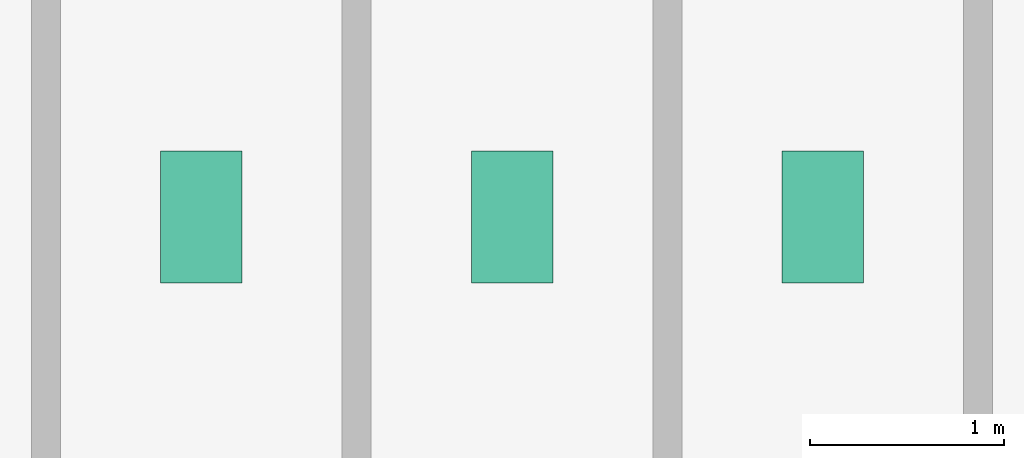
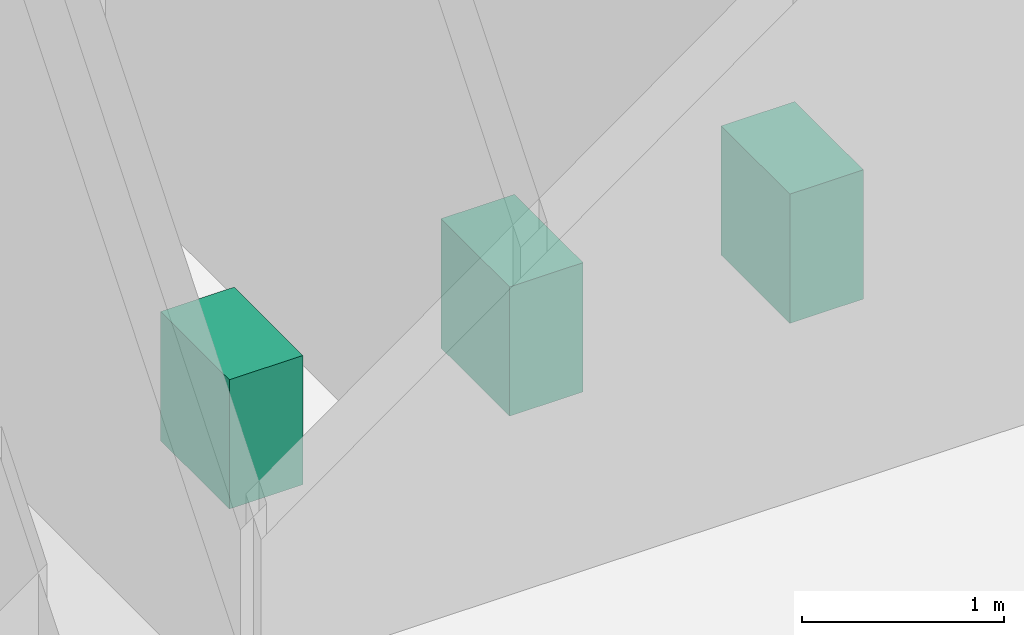
# One storey, part 25 of 26: 3 sanitary terminals.
"""IFC4 building model written with IfcOpenShell, lengths in metres."""

from ifc_helpers import new_model, si_unit, derived_unit, direction, frame, origin, origin_2d, place, context, subcontext, project, spatial, rectangle, extrude, source, transform, mapped, material, type_object, element, save


model = new_model("IFC4")

# Units and contexts
model_context = context("Model", 3, precision=1e-05, world=origin(), true_north=direction((0.0, 1.0)))
body_context = subcontext(model_context, "Body", "Model", "MODEL_VIEW")
ifc_project = project(units=[si_unit("LENGTHUNIT", "METRE"), si_unit("AREAUNIT", "SQUARE_METRE"), si_unit("VOLUMEUNIT", "CUBIC_METRE"), si_unit("PLANEANGLEUNIT", "RADIAN"), si_unit("MASSUNIT", "GRAM", prefix="KILO"), derived_unit("THERMALTRANSMITTANCEUNIT", [(si_unit("POWERUNIT", "WATT"), 1), (si_unit("LENGTHUNIT", "METRE"), -2), (si_unit("THERMODYNAMICTEMPERATUREUNIT", "KELVIN"), -1)])], contexts=[model_context])

# Site, building, storey
site_placement = place(None, origin())
site = spatial("IfcSite", under=ifc_project, at=site_placement, CompositionType="ELEMENT")
building_placement = place(site_placement, origin())
building = spatial("IfcBuilding", under=site, at=building_placement, Name="Skarnbrae Concourse Arena and Tower", CompositionType="ELEMENT")
storey_placement = place(building_placement, frame((0.0, 0.0, 184.39990234375)))
storey = spatial("IfcBuildingStorey", under=building, at=storey_placement, Name="L47", CompositionType="ELEMENT", Elevation=184.39990234375)

# Sanitary terminals
ifc_material = material(Name="Vitreous china sanitaryware", Category="other")
sanitary_terminal_type = type_object("IfcSanitaryTerminalType", Name="SAN-WC-VITREOUS", PredefinedType="TOILETPAN", material=ifc_material)
shared_shape = source(origin(), body_context, "Body", "SweptSolid", [
    extrude(rectangle(XDim=0.419921875, YDim=0.679931640625, at=origin_2d()), origin(), (0.0, 0.0, 1.0), 0.780029296875),
])
for number, where, z_axis, x_axis, name in (
    (1, (35.0, 11.39990234375, 0.0), (0.0, 0.0, 1.0), (1.0, 0.0, 0.0), "L47 Washroom WC fixture 1"),
    (2, (36.60009765625, 11.39990234375, 0.0), (0.0, 0.0, 1.0), (1.0, 0.0, 0.0), "L47 Washroom WC fixture 2"),
    (3, (38.199951171875, 11.39990234375, 0.0), (0.0, 0.0, 1.0), (1.0, 0.0, 0.0), "L47 Washroom WC fixture 3"),
):
    element("IfcSanitaryTerminal", number, at=place(storey_placement, frame(where, z_axis=z_axis, x_axis=x_axis)), inside=storey, type_object=sanitary_terminal_type, Name=name, PredefinedType="TOILETPAN", context=body_context, shape_type="MappedRepresentation", body=[
        mapped(shared_shape, transform((0.0, 0.0, 0.0))),
    ])

save(model, "model.ifc")
